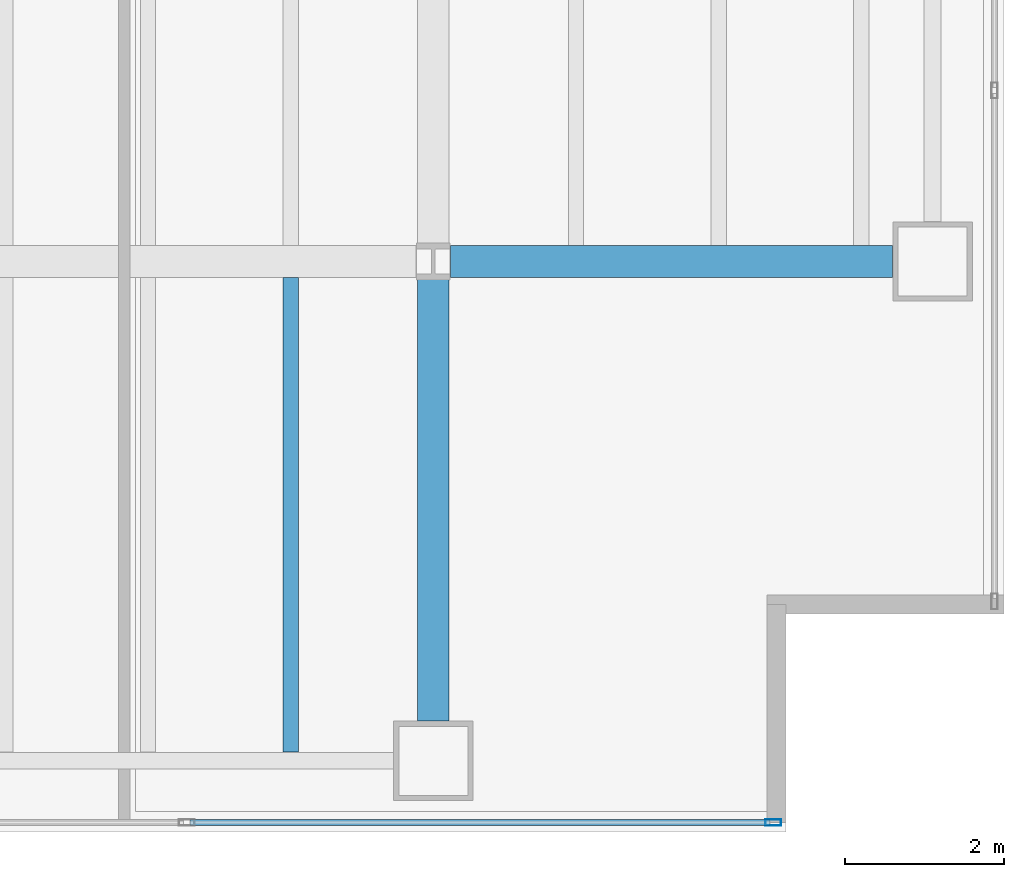
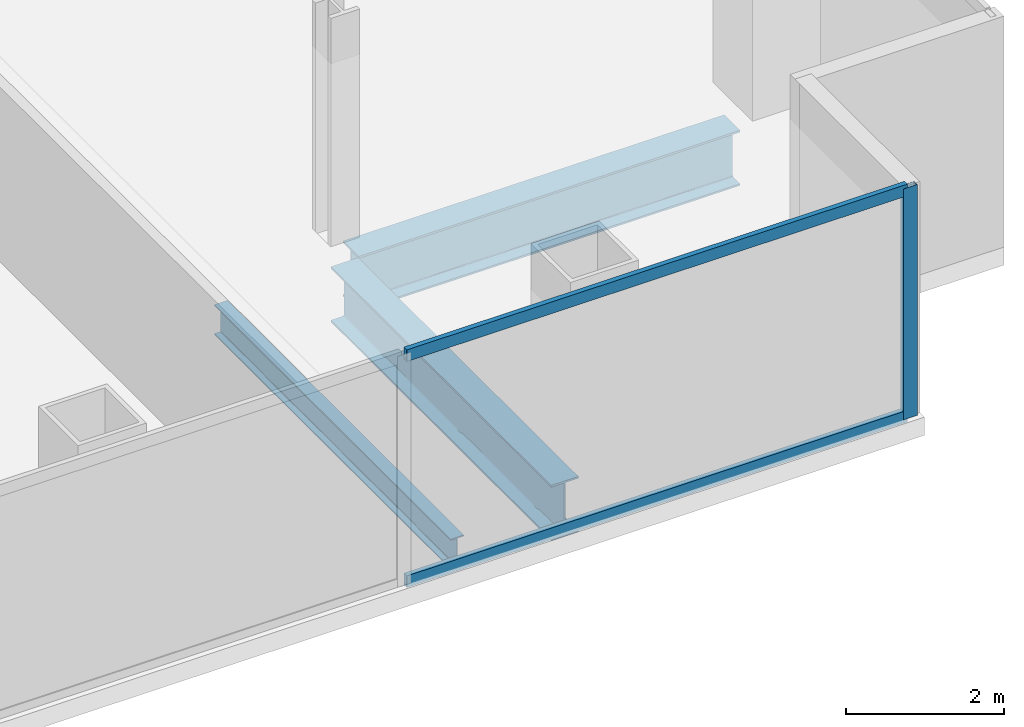
# One storey, part 8 of 24: 3 beams, 3 members, 1 element without a shape of its own.
"""IFC4 building model written with IfcOpenShell, lengths in metres."""

from ifc_helpers import new_model, si_unit, direction, frame, origin, origin_2d, place, context, subcontext, project, spatial, hollow_rectangle, i_section, extrude, material, material_profile, profile_set, type_object, element, aggregate, save


model = new_model("IFC4")

# Units and contexts
model_context = context("Model", 3, precision=1e-05, world=origin(), true_north=direction((0.0, 1.0)))
body_context = subcontext(model_context, "Body", "Model", "MODEL_VIEW")
ifc_project = project(units=[si_unit("LENGTHUNIT", "METRE"), si_unit("AREAUNIT", "SQUARE_METRE"), si_unit("VOLUMEUNIT", "CUBIC_METRE"), si_unit("PLANEANGLEUNIT", "RADIAN"), si_unit("MASSUNIT", "GRAM", prefix="KILO")], contexts=[model_context])

# Site, building, storey
site_placement = place(None, origin())
site = spatial("IfcSite", under=ifc_project, at=site_placement, CompositionType="ELEMENT")
building_placement = place(site_placement, origin())
building = spatial("IfcBuilding", under=site, at=building_placement, Name="Cobrela Telecom Tower", CompositionType="ELEMENT")
storey_placement = place(building_placement, frame((0.0, 0.0, 69.64990234375)))
storey = spatial("IfcBuildingStorey", under=building, at=storey_placement, Name="L17", CompositionType="ELEMENT", Elevation=69.64990234375)

# Beams
ifc_material_1 = material(Name="Steel ASTM A992 Grade 50", Category="steel")
ifc_material_profile_1 = material_profile(ifc_material_1, i_section(OverallWidth=0.39892578125, OverallDepth=0.85595703125, WebThickness=0.018310546875, FlangeThickness=0.029296875, FilletRadius=0.02001953125, at=origin_2d()), Name="W33X201")
ifc_profile_set_1 = profile_set([ifc_material_profile_1], Name="Steel ASTM A992 Grade 50")
beam_type_1 = type_object("IfcBeamType", Name="BM-GIRD-03", PredefinedType="USERDEFINED", material=ifc_profile_set_1)
beam_1_placement = place(storey_placement, frame((43.416015625, 7.199951171875, -0.7080078125), z_axis=(1.0, 0.0, 0.0), x_axis=(0.0, 1.0, 0.0)))
element("IfcBeam", 1, at=beam_1_placement, inside=storey, type_object=beam_type_1, Name="L17 Primary Girder X12", ObjectType="GIRDER", PredefinedType="USERDEFINED", context=body_context, shape_type="SweptSolid", body=[
    extrude(i_section(OverallWidth=0.39892578125, OverallDepth=0.85595703125, WebThickness=0.018310546875, FlangeThickness=0.029296875, FilletRadius=0.02001953125, at=origin_2d()), origin(), (0.0, 0.0, 1.0), 5.5791015625),
])
beam_2_placement = place(storey_placement, frame((43.199951171875, 1.405029296875, -0.7080078125), z_axis=(0.0, 1.0, 0.0), x_axis=(-1.0, 0.0, 0.0)))
element("IfcBeam", 2, at=beam_2_placement, inside=storey, type_object=beam_type_1, Name="L17 Primary Girder Y53", ObjectType="GIRDER", PredefinedType="USERDEFINED", context=body_context, shape_type="SweptSolid", body=[
    extrude(i_section(OverallWidth=0.39892578125, OverallDepth=0.85595703125, WebThickness=0.018310546875, FlangeThickness=0.029296875, FilletRadius=0.02001953125, at=origin_2d()), origin(), (0.0, 0.0, 1.0), 5.578857421875),
])
ifc_material_profile_2 = material_profile(ifc_material_1, i_section(OverallWidth=0.193115234375, OverallDepth=0.467041015625, WebThickness=0.011474609375, FlangeThickness=0.01904296875, FilletRadius=0.012939453125, at=origin_2d()), Name="W18X65")
ifc_profile_set_2 = profile_set([ifc_material_profile_2], Name="Steel ASTM A992 Grade 50")
beam_type_2 = type_object("IfcBeamType", Name="BM-JOIST-03", PredefinedType="JOIST", material=ifc_profile_set_2)
beam_3_placement = place(storey_placement, frame((41.39990234375, 1.011474609375, -0.513427734375), z_axis=(0.0, 1.0, 0.0), x_axis=(-1.0, 0.0, 0.0)))
element("IfcBeam", 3, at=beam_3_placement, inside=storey, type_object=beam_type_2, Name="L17 Secondary Composite Floor Beam J56", PredefinedType="JOIST", context=body_context, shape_type="SweptSolid", body=[
    extrude(i_section(OverallWidth=0.193115234375, OverallDepth=0.467041015625, WebThickness=0.011474609375, FlangeThickness=0.01904296875, FilletRadius=0.012939453125, at=origin_2d()), origin(), (0.0, 0.0, 1.0), 5.984130859375),
])

# Curtain wall, members
ifc_material_2 = material(Name="Anodized Bronze Aluminium 6063-T6", Category="aluminium")
curtain_wall_type = type_object("IfcCurtainWallType", Name="CW-SYS-DATA", PredefinedType="USERDEFINED", material=ifc_material_2)
curtain_wall_placement = place(storey_placement, origin())
curtain_wall = element("IfcCurtainWall", 4, at=curtain_wall_placement, inside=storey, type_object=curtain_wall_type, Name="L17 Unitised Bronze Curtain Wall 17", ObjectType="UNITISED CURTAIN WALL", PredefinedType="USERDEFINED")
ifc_material_profile_3 = material_profile(ifc_material_2, hollow_rectangle(XDim=0.080078125, YDim=0.199951171875, WallThickness=0.00390625, at=origin_2d()), Name="ALU 80x200x4")
ifc_profile_set_3 = profile_set([ifc_material_profile_3], Name="Anodized Bronze Aluminium 6063-T6")
member_type_1 = type_object("IfcMemberType", Name="CW-SYS-DATA-MUL", PredefinedType="MULLION", material=ifc_profile_set_3)
member_1_placement = place(storey_placement, frame((47.489990234375, 0.1201171875, 0.0), z_axis=(0.0, 0.0, 1.0), x_axis=(0.0, -1.0, 0.0)))
member_1 = element("IfcMember", 5, at=member_1_placement, type_object=member_type_1, Name="CW-DATA mullion 1", PredefinedType="MULLION", context=body_context, shape_type="SweptSolid", body=[
    extrude(hollow_rectangle(XDim=0.080078125, YDim=0.199951171875, WallThickness=0.00390625, at=origin_2d()), origin(), (0.0, 0.0, 1.0), 3.570068359375),
])
ifc_material_profile_4 = material_profile(ifc_material_2, hollow_rectangle(XDim=0.074951171875, YDim=0.179931640625, WallThickness=0.00390625, at=origin_2d()), Name="ALU 75x180x4")
ifc_profile_set_4 = profile_set([ifc_material_profile_4], Name="Anodized Bronze Aluminium 6063-T6")
member_type_2 = type_object("IfcMemberType", Name="CW-SYS-DATA-TRN", PredefinedType="USERDEFINED", material=ifc_profile_set_4)
member_2_placement = place(storey_placement, frame((47.449951171875, 0.1201171875, 0.03759765625), z_axis=(-1.0, 0.0, 0.0), x_axis=(0.0, -1.0, 0.0)))
member_2 = element("IfcMember", 6, at=member_2_placement, type_object=member_type_2, Name="CW-DATA transom 1.1", ObjectType="TRANSOM", PredefinedType="USERDEFINED", context=body_context, shape_type="SweptSolid", body=[
    extrude(hollow_rectangle(XDim=0.074951171875, YDim=0.179931640625, WallThickness=0.00390625, at=origin_2d()), origin(), (0.0, 0.0, 1.0), 7.3232421875),
])
member_3_placement = place(storey_placement, frame((47.449951171875, 0.1201171875, 3.53271484375), z_axis=(-1.0, 0.0, 0.0), x_axis=(0.0, -1.0, 0.0)))
member_3 = element("IfcMember", 7, at=member_3_placement, type_object=member_type_2, Name="CW-DATA transom 1.2", ObjectType="TRANSOM", PredefinedType="USERDEFINED", context=body_context, shape_type="SweptSolid", body=[
    extrude(hollow_rectangle(XDim=0.074951171875, YDim=0.179931640625, WallThickness=0.00390625, at=origin_2d()), origin(), (0.0, 0.0, 1.0), 7.3232421875),
])
aggregate(curtain_wall, [member_1, member_2, member_3])

save(model, "model.ifc")
